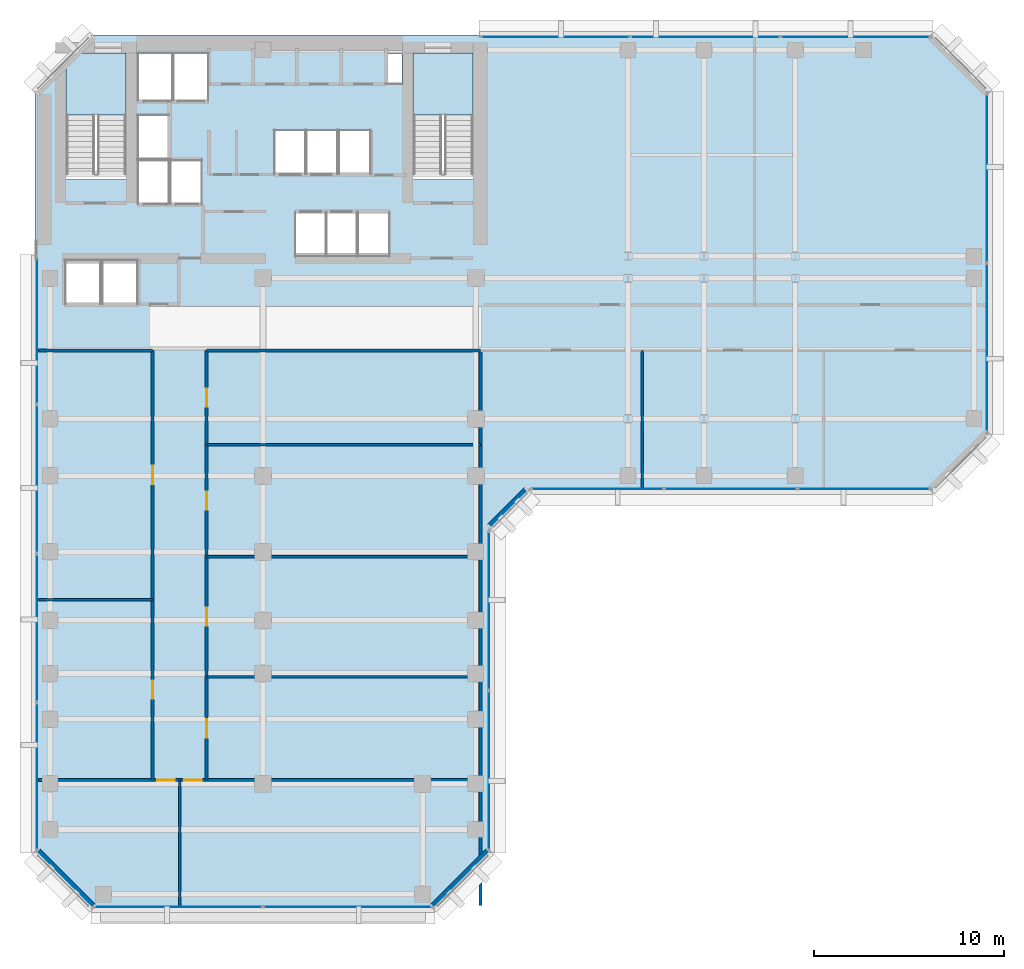
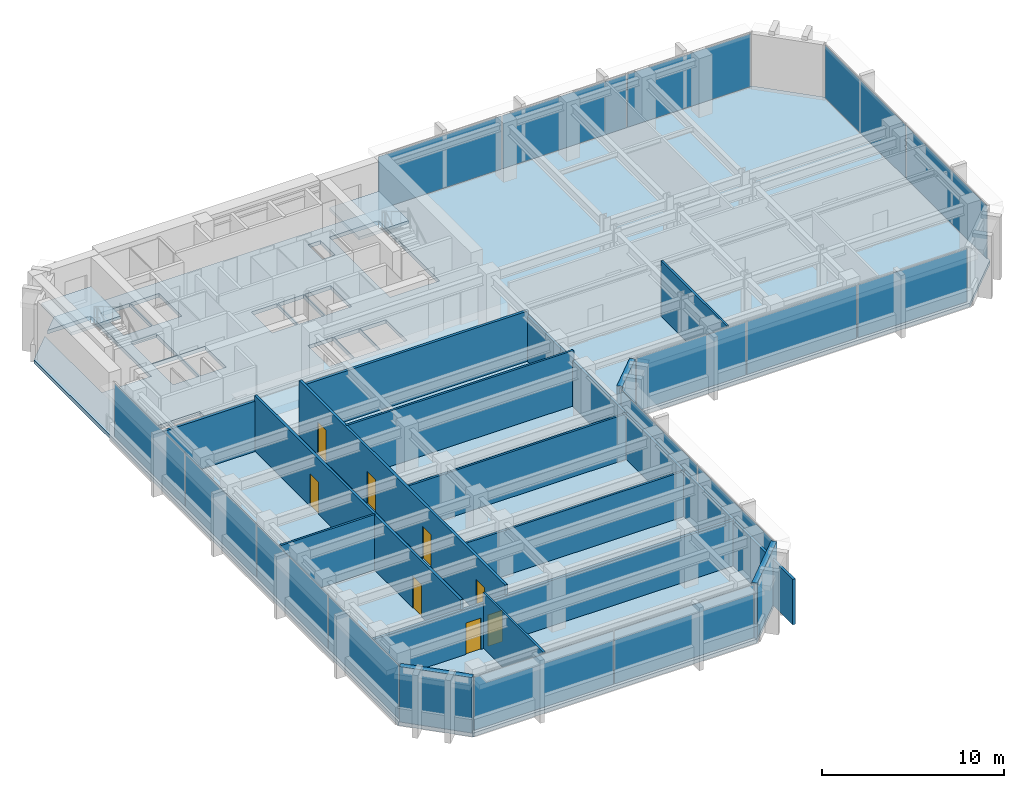
# One storey, part 6 of 11: 16 plates, 15 walls, 8 doors, 3 slabs, 8 openings, 8 elements without a shape of their own.
"""IFC4 building model written with IfcOpenShell, lengths in metres."""

import ifcopenshell
import ifcopenshell.guid

model = None  # the IFC model being written
_history = None  # IfcOwnerHistory: only IFC2X3 demands one
_inside = {}  # id of a spatial element -> (the spatial element, [elements in it])
_under = {}  # id of a project, library or spatial element -> (it, [spatial elements below it])
_declared = {}  # id of a project -> (the project, [libraries it declares])
_typed = {}  # id of a type object -> (the type object, [elements of that type])
_made_of = {}  # id of a material, layer set ... -> (it, [elements and type objects made of it])


def new_model(schema):
    """Start an empty IFC model of exactly this schema.

    Asked for "IFC4X3", IfcOpenShell would pick the latest addendum, in which some entities
    have other attributes; the version numbers below select the first issue.
    IFC2X3 requires an IfcOwnerHistory on every rooted entity: one is made here for all.
    """
    global model, _history
    if schema == "IFC4X3":
        model = ifcopenshell.file(schema_version=(4, 3, 0, 0))
    else:
        model = ifcopenshell.file(schema=schema)
    _inside.clear()
    _under.clear()
    _declared.clear()
    _typed.clear()
    _made_of.clear()
    _history = None
    if model.schema == "IFC2X3":
        org = make("IfcOrganization", Name="unknown")
        user = make(
            "IfcPersonAndOrganization",
            ThePerson=make("IfcPerson", FamilyName="unknown"),
            TheOrganization=org,
        )
        app = make(
            "IfcApplication",
            ApplicationDeveloper=org,
            Version="unknown",
            ApplicationFullName="unknown",
            ApplicationIdentifier="unknown",
        )
        _history = make(
            "IfcOwnerHistory",
            OwningUser=user,
            OwningApplication=app,
            ChangeAction="ADDED",
            CreationDate=0,
        )
    return model


def make(cls, **values):
    """One entity of the class cls with the attributes given. An attribute that is None is left unset."""
    return model.create_entity(
        cls, **{name: value for name, value in values.items() if value is not None}
    )


def rooted(cls, **values):
    """An entity with a GlobalId (a new one), such as an element, a storey or a relation."""
    return make(cls, GlobalId=ifcopenshell.guid.new(), OwnerHistory=_history, **values)


def si_unit(unit_type, name, prefix=None):
    """IfcSIUnit, for example si_unit("LENGTHUNIT", "METRE", prefix="MILLI")."""
    return make("IfcSIUnit", UnitType=unit_type, Prefix=prefix, Name=name)


def assignment(units):
    """IfcUnitAssignment: the units of a project."""
    return None if units is None else make("IfcUnitAssignment", Units=units)


def point(xyz):
    """IfcCartesianPoint."""
    return None if xyz is None else make("IfcCartesianPoint", Coordinates=xyz)


def direction(xyz):
    """IfcDirection."""
    return None if xyz is None else make("IfcDirection", DirectionRatios=xyz)


def frame(location, z_axis=None, x_axis=None):
    """IfcAxis2Placement3D, a coordinate frame: its origin and axes. An axis left out is left unset."""
    return make(
        "IfcAxis2Placement3D",
        Location=point(location),
        Axis=direction(z_axis),
        RefDirection=direction(x_axis),
    )


def frame_2d(location, x_axis=None):
    """IfcAxis2Placement2D, a coordinate frame in the plane: its origin and x axis."""
    return make(
        "IfcAxis2Placement2D", Location=point(location), RefDirection=direction(x_axis)
    )


def origin():
    """The frame at (0, 0, 0) with its axes left unset."""
    return frame((0.0, 0.0, 0.0))


def origin_2d():
    """The frame at (0, 0) in the plane with its x axis left unset."""
    return frame_2d((0.0, 0.0))


def place(relative_to, where):
    """IfcLocalPlacement: puts the frame where relative to a parent placement (None: the world)."""
    return make(
        "IfcLocalPlacement", PlacementRelTo=relative_to, RelativePlacement=where
    )


def context(
    kind, dimensions, precision=None, world=None, true_north=None, identifier=None
):
    """IfcGeometricRepresentationContext, for example the 3D "Model" context."""
    return make(
        "IfcGeometricRepresentationContext",
        ContextIdentifier=identifier,
        ContextType=kind,
        CoordinateSpaceDimension=dimensions,
        Precision=precision,
        WorldCoordinateSystem=world,
        TrueNorth=true_north,
    )


def subcontext(parent, identifier, kind, view, scale=None):
    """IfcGeometricRepresentationSubContext, for example "Body" below "Model"."""
    return make(
        "IfcGeometricRepresentationSubContext",
        ContextIdentifier=identifier,
        ContextType=kind,
        ParentContext=parent,
        TargetScale=scale,
        TargetView=view,
    )


def project(units=None, contexts=None):
    """IfcProject with its units and contexts."""
    return rooted(
        "IfcProject",
        Name="project",
        RepresentationContexts=contexts,
        UnitsInContext=assignment(units),
    )


def spatial(cls, under=None, at=None, **own):
    """A site, building, storey or space (cls), placed at a placement, below another one or the project."""
    s = rooted(cls, ObjectPlacement=at, **own)
    if under is not None:
        _under.setdefault(under.id(), (under, []))[1].append(s)
    return s


def polyline(points):
    """IfcPolyline through the points."""
    return make("IfcPolyline", Points=[point(p) for p in points])


def profile(cls, at=None, kind="AREA", **sizes):
    """A parametric profile (cls). Its sizes go by their IFC names, for example OverallWidth=200.0."""
    return make(cls, ProfileType=kind, Position=at, **sizes)


def rectangle(**sizes):
    """IfcRectangleProfileDef."""
    return profile("IfcRectangleProfileDef", **sizes)


def outline(outer, holes=None, kind="AREA"):
    """IfcArbitraryClosedProfileDef: a profile drawn as a closed curve; with holes, ...WithVoids."""
    if holes is None:
        return make("IfcArbitraryClosedProfileDef", ProfileType=kind, OuterCurve=outer)
    return make(
        "IfcArbitraryProfileDefWithVoids",
        ProfileType=kind,
        OuterCurve=outer,
        InnerCurves=holes,
    )


def extrude(swept, where, along, depth):
    """IfcExtrudedAreaSolid: the profile swept, set in the frame where, extruded along a direction by depth."""
    return make(
        "IfcExtrudedAreaSolid",
        SweptArea=swept,
        Position=where,
        ExtrudedDirection=direction(along),
        Depth=depth,
    )


def shape(context_of_items, identifier, shape_type, items):
    """IfcShapeRepresentation: the items that make up one representation, for example the "Body"."""
    return make(
        "IfcShapeRepresentation",
        ContextOfItems=context_of_items,
        RepresentationIdentifier=identifier,
        RepresentationType=shape_type,
        Items=items,
    )


def material(Name=None, Category=None):
    """IfcMaterial."""
    return make("IfcMaterial", Name=Name, Category=Category)


def layer(
    of_material, thickness, ventilated=None, Name=None, Category=None, Priority=None
):
    """IfcMaterialLayer: one layer of a wall or slab, of a material (None: an air gap)."""
    return make(
        "IfcMaterialLayer",
        Material=of_material,
        LayerThickness=thickness,
        IsVentilated=ventilated,
        Name=Name,
        Category=Category,
        Priority=Priority,
    )


def layer_set(layers, Name=None):
    """IfcMaterialLayerSet."""
    return make("IfcMaterialLayerSet", MaterialLayers=layers, LayerSetName=Name)


def made_of(thing, what):
    """Note that an element or type object is made of a material, layer set ...; save() writes the relation."""
    if what is not None:
        _made_of.setdefault(what.id(), (what, []))[1].append(thing)
    return thing


def type_object(cls, material=None, **own):
    """A type object (cls), such as IfcWallType, which elements share."""
    return made_of(rooted(cls, **own), material)


def element(
    cls,
    number,
    at=None,
    inside=None,
    cuts=None,
    type_object=None,
    material=None,
    context=None,
    identifier="Body",
    shape_type=None,
    held_by="IfcProductDefinitionShape",
    body=None,
    shapes=None,
    **own,
):
    """One element of the class cls, such as IfcWall. Its Tag is "e" and its number.

    at: its placement. inside: the storey or other place that contains it. cuts: it is an
    opening in that element (IfcRelVoidsElement). A single representation is given by context,
    identifier, shape_type and body (its items); several are given by shapes. held_by: the class
    of the entity that holds the representations. save() writes the other relations.
    """
    e = rooted(cls, Tag="e%d" % number, ObjectPlacement=at, **own)
    if body is not None:
        shapes = [shape(context, identifier, shape_type, body)]
    if shapes is not None:
        e.Representation = make(held_by, Representations=shapes)
    if inside is not None:
        _inside.setdefault(inside.id(), (inside, []))[1].append(e)
    if cuts is not None:
        rooted(
            "IfcRelVoidsElement", RelatingBuildingElement=cuts, RelatedOpeningElement=e
        )
    if type_object is not None:
        _typed.setdefault(type_object.id(), (type_object, []))[1].append(e)
    return made_of(e, material)


def fill(opening, filler):
    """IfcRelFillsElement: the door or window that sits in an opening."""
    return rooted(
        "IfcRelFillsElement",
        RelatingOpeningElement=opening,
        RelatedBuildingElement=filler,
    )


def aggregate(whole, parts):
    """IfcRelAggregates: a whole, such as a stair, and the parts it consists of."""
    return rooted("IfcRelAggregates", RelatingObject=whole, RelatedObjects=parts)


def save(model, path):
    """Write the relations noted so far, then the file.

    IfcRelAggregates (storeys below a building ...), IfcRelContainedInSpatialStructure (elements
    in a storey), IfcRelDefinesByType, IfcRelAssociatesMaterial and IfcRelDeclares: one each for
    every whole, place, type object, material and project.
    """
    for whole, parts in _under.values():
        aggregate(whole, parts)
    for where, things in _inside.values():
        rooted(
            "IfcRelContainedInSpatialStructure",
            RelatedElements=things,
            RelatingStructure=where,
        )
    for kind, things in _typed.values():
        rooted("IfcRelDefinesByType", RelatedObjects=things, RelatingType=kind)
    for what, things in _made_of.values():
        rooted("IfcRelAssociatesMaterial", RelatedObjects=things, RelatingMaterial=what)
    for by, libraries in _declared.values():
        rooted("IfcRelDeclares", RelatingContext=by, RelatedDefinitions=libraries)
    model.write(path)


model = new_model("IFC4")

# Units and contexts
model_context = context("Model", 3, precision=1e-05, world=origin(), true_north=direction((0.0, 1.0)))
body_context = subcontext(model_context, "Body", "Model", "MODEL_VIEW")
ifc_project = project(units=[si_unit("LENGTHUNIT", "METRE"), si_unit("AREAUNIT", "SQUARE_METRE"), si_unit("VOLUMEUNIT", "CUBIC_METRE"), si_unit("PLANEANGLEUNIT", "RADIAN"), si_unit("MASSUNIT", "GRAM", prefix="KILO")], contexts=[model_context])

# Site, building, storey
site_placement = place(None, origin())
site = spatial("IfcSite", under=ifc_project, at=site_placement, CompositionType="ELEMENT")
building_placement = place(site_placement, origin())
building = spatial("IfcBuilding", under=site, at=building_placement, Name="Kefirva Bronze Tower", CompositionType="ELEMENT")
storey_placement = place(building_placement, frame((0.0, 0.0, 150.81005859375)))
storey = spatial("IfcBuildingStorey", under=building, at=storey_placement, Name="L36", CompositionType="ELEMENT", Elevation=150.81005859375)

# Stair, slab
ifc_material_1 = material(Name="Concrete C40/50", Category="concrete")
stair_type = type_object("IfcStairType", Name="RC Dogleg Protected Stair 24R", PredefinedType="HALF_TURN_STAIR", material=ifc_material_1)
stair_1_placement = place(storey_placement, origin())
stair_1 = element("IfcStair", 1, at=stair_1_placement, inside=storey, type_object=stair_type, Name="L36 Protected Exit Stair 1", PredefinedType="HALF_TURN_STAIR")
ifc_layer_1 = layer(ifc_material_1, 0.199951171875, Name="Concrete C40/50")
ifc_layer_set_1 = layer_set([ifc_layer_1], Name="Concrete C40/50")
slab_type_1 = type_object("IfcSlabType", Name="RC Stair Landing Slab 200mm", PredefinedType="LANDING", material=ifc_layer_set_1)
slab_1_placement = place(storey_placement, frame((0.0, 0.0, 1.780029296875)))
slab_1 = element("IfcSlab", 2, at=slab_1_placement, type_object=slab_type_1, Name="ST-1 landing 1", PredefinedType="LANDING", context=body_context, shape_type="SweptSolid", body=[
    extrude(outline(polyline([(4.800048828125, 41.780029296875), (4.800048828125, 45.050048828125), (1.64990234375, 45.050048828125), (1.64990234375, 41.780029296875), (4.800048828125, 41.780029296875)])), origin(), (0.0, 0.0, 1.0), 0.199951171875),
])
aggregate(stair_1, [slab_1])

stair_2_placement = place(storey_placement, origin())
stair_2 = element("IfcStair", 3, at=stair_2_placement, inside=storey, type_object=stair_type, Name="L36 Protected Exit Stair 2", PredefinedType="HALF_TURN_STAIR")
slab_2_placement = place(storey_placement, frame((0.0, 0.0, 1.780029296875)))
slab_2 = element("IfcSlab", 4, at=slab_2_placement, type_object=slab_type_1, Name="ST-2 landing 1", PredefinedType="LANDING", context=body_context, shape_type="SweptSolid", body=[
    extrude(outline(polyline([(23.050048828125, 41.780029296875), (23.050048828125, 45.050048828125), (19.89990234375, 45.050048828125), (19.89990234375, 41.780029296875), (23.050048828125, 41.780029296875)])), origin(), (0.0, 0.0, 1.0), 0.199951171875),
])
aggregate(stair_2, [slab_2])

# Slab
ifc_layer_2 = layer(ifc_material_1, 0.25, Name="Concrete C40/50")
ifc_layer_set_2 = layer_set([ifc_layer_2], Name="Concrete C40/50")
slab_type_2 = type_object("IfcSlabType", Name="RC Tower Floor Slab 250mm", PredefinedType="FLOOR", material=ifc_layer_set_2)
slab_3_placement = place(storey_placement, frame((0.0, 0.0, -0.25)))
element("IfcSlab", 5, at=slab_3_placement, inside=storey, type_object=slab_type_2, Name="L36 Structural Floor Slab", PredefinedType="FLOOR", context=body_context, shape_type="SweptSolid", body=[
    extrude(outline(polyline([(0.0, 3.0), (0.0, 43.0), (1.64990234375, 44.64990234375), (1.64990234375, 38.39990234375), (4.800048828125, 38.39990234375), (4.800048828125, 45.050048828125), (2.050048828125, 45.050048828125), (3.0, 46.0), (47.199951171875, 46.0), (50.199951171875, 43.0), (50.199951171875, 25.0), (47.199951171875, 22.0), (26.0, 22.0), (24.0, 20.0), (24.0, 3.0), (21.0, 0.0), (3.0, 0.0), (0.0, 3.0)]), holes=[polyline([(23.050048828125, 38.39990234375), (23.050048828125, 45.050048828125), (19.89990234375, 45.050048828125), (19.89990234375, 38.39990234375), (23.050048828125, 38.39990234375)]), polyline([(19.320068359375, 43.419921875), (19.320068359375, 45.0), (18.52001953125, 45.0), (18.52001953125, 43.419921875), (19.320068359375, 43.419921875)]), polyline([(18.64990234375, 34.35009765625), (18.64990234375, 36.64990234375), (17.0, 36.64990234375), (17.0, 34.35009765625), (18.64990234375, 34.35009765625)]), polyline([(17.64990234375, 38.679931640625), (17.64990234375, 40.97998046875), (16.0, 40.97998046875), (16.0, 38.679931640625), (17.64990234375, 38.679931640625)]), polyline([(16.949951171875, 34.35009765625), (16.949951171875, 36.64990234375), (15.35009765625, 36.64990234375), (15.35009765625, 34.35009765625), (16.949951171875, 34.35009765625)]), polyline([(15.929931640625, 38.679931640625), (15.929931640625, 40.97998046875), (14.300048828125, 40.97998046875), (14.300048828125, 38.679931640625), (15.929931640625, 38.679931640625)]), polyline([(15.300048828125, 34.35009765625), (15.300048828125, 36.64990234375), (13.699951171875, 36.64990234375), (13.699951171875, 34.35009765625), (15.300048828125, 34.35009765625)]), polyline([(14.22998046875, 38.679931640625), (14.22998046875, 40.97998046875), (12.60009765625, 40.97998046875), (12.60009765625, 38.679931640625), (14.22998046875, 38.679931640625)]), polyline([(9.1201171875, 42.550048828125), (9.1201171875, 45.050048828125), (7.300048828125, 45.050048828125), (7.300048828125, 42.550048828125), (9.1201171875, 42.550048828125)]), polyline([(8.780029296875, 37.10009765625), (8.780029296875, 39.39990234375), (7.139892578125, 39.39990234375), (7.139892578125, 37.10009765625), (8.780029296875, 37.10009765625)]), polyline([(7.239990234375, 42.550048828125), (7.239990234375, 45.050048828125), (5.419921875, 45.050048828125), (5.419921875, 42.550048828125), (7.239990234375, 42.550048828125)]), polyline([(7.06005859375, 37.10009765625), (7.06005859375, 39.39990234375), (5.419921875, 39.39990234375), (5.419921875, 37.10009765625), (7.06005859375, 37.10009765625)]), polyline([(7.06005859375, 39.47998046875), (7.06005859375, 41.780029296875), (5.419921875, 41.780029296875), (5.419921875, 39.47998046875), (7.06005859375, 39.47998046875)]), polyline([(5.39990234375, 31.85009765625), (5.39990234375, 34.14990234375), (3.550048828125, 34.14990234375), (3.550048828125, 31.85009765625), (5.39990234375, 31.85009765625)]), polyline([(3.449951171875, 31.85009765625), (3.449951171875, 34.14990234375), (1.60009765625, 34.14990234375), (1.60009765625, 31.85009765625), (3.449951171875, 31.85009765625)])]), origin(), (0.0, 0.0, 1.0), 0.25),
])

# Curtain wall, plates
ifc_material_2 = material(Name="Bronze anodised aluminium", Category="aluminium")
ifc_layer_3 = layer(ifc_material_2, 0.199951171875, Name="Bronze anodised aluminium")
ifc_layer_set_3 = layer_set([ifc_layer_3], Name="Bronze anodised aluminium")
curtain_wall_type = type_object("IfcCurtainWallType", Name="Unitised Bronze Ribbon Curtain Wall Zone 2", PredefinedType="USERDEFINED", material=ifc_layer_set_3)
curtain_wall_1_placement = place(storey_placement, origin())
curtain_wall_1 = element("IfcCurtainWall", 6, at=curtain_wall_1_placement, inside=storey, type_object=curtain_wall_type, Name="L36 Curtain Wall 1", ObjectType="UNITISED CURTAIN WALL", PredefinedType="USERDEFINED")
ifc_material_3 = material(Name="Laminated low-E double glazing", Category="glass")
ifc_layer_4 = layer(ifc_material_3, 0.031982421875, Name="Laminated low-E double glazing")
ifc_layer_set_4 = layer_set([ifc_layer_4], Name="Laminated low-E double glazing")
plate_type = type_object("IfcPlateType", Name="Solar-Control Low-E Vision Panel 32mm", PredefinedType="CURTAIN_PANEL", material=ifc_layer_set_4)
plate_1_placement = place(storey_placement, frame((7.546142578125, 0.1201171875, 0.074951171875), z_axis=(0.0, 0.0, 1.0), x_axis=(1.0, 0.0, 0.0)))
plate_1 = element("IfcPlate", 7, at=plate_1_placement, type_object=plate_type, Name="CW-02 panel 1.1", PredefinedType="CURTAIN_PANEL", context=body_context, shape_type="SweptSolid", body=[
    extrude(rectangle(XDim=8.83251953125, YDim=0.031982421875, at=origin_2d()), origin(), (0.0, 0.0, 1.0), 3.56005859375),
])
plate_2_placement = place(storey_placement, frame((16.453857421875, 0.1201171875, 0.074951171875), z_axis=(0.0, 0.0, 1.0), x_axis=(1.0, 0.0, 0.0)))
plate_2 = element("IfcPlate", 8, at=plate_2_placement, type_object=plate_type, Name="CW-02 panel 2.1", PredefinedType="CURTAIN_PANEL", context=body_context, shape_type="SweptSolid", body=[
    extrude(rectangle(XDim=8.83251953125, YDim=0.031982421875, at=origin_2d()), origin(), (0.0, 0.0, 1.0), 3.56005859375),
])
aggregate(curtain_wall_1, [plate_1, plate_2])

curtain_wall_2_placement = place(storey_placement, origin())
curtain_wall_2 = element("IfcCurtainWall", 9, at=curtain_wall_2_placement, inside=storey, type_object=curtain_wall_type, Name="L36 Curtain Wall 2", ObjectType="UNITISED CURTAIN WALL", PredefinedType="USERDEFINED")
plate_3_placement = place(storey_placement, frame((23.8798828125, 7.296142578125, 0.074951171875), z_axis=(0.0, 0.0, 1.0), x_axis=(0.0, 1.0, 0.0)))
plate_3 = element("IfcPlate", 10, at=plate_3_placement, type_object=plate_type, Name="CW-02 panel 1.1", PredefinedType="CURTAIN_PANEL", context=body_context, shape_type="SweptSolid", body=[
    extrude(rectangle(XDim=8.33251953125, YDim=0.031982421875, at=origin_2d()), origin(), (0.0, 0.0, 1.0), 3.56005859375),
])
plate_4_placement = place(storey_placement, frame((23.8798828125, 15.703857421875, 0.074951171875), z_axis=(0.0, 0.0, 1.0), x_axis=(0.0, 1.0, 0.0)))
plate_4 = element("IfcPlate", 11, at=plate_4_placement, type_object=plate_type, Name="CW-02 panel 2.1", PredefinedType="CURTAIN_PANEL", context=body_context, shape_type="SweptSolid", body=[
    extrude(rectangle(XDim=8.33251953125, YDim=0.031982421875, at=origin_2d()), origin(), (0.0, 0.0, 1.0), 3.56005859375),
])
aggregate(curtain_wall_2, [plate_3, plate_4])

curtain_wall_3_placement = place(storey_placement, origin())
curtain_wall_3 = element("IfcCurtainWall", 12, at=curtain_wall_3_placement, inside=storey, type_object=curtain_wall_type, Name="L36 Curtain Wall 3", ObjectType="UNITISED CURTAIN WALL", PredefinedType="USERDEFINED")
plate_5_placement = place(storey_placement, frame((29.5888671875, 22.1201171875, 0.074951171875), z_axis=(0.0, 0.0, 1.0), x_axis=(1.0, 0.0, 0.0)))
plate_5 = element("IfcPlate", 13, at=plate_5_placement, type_object=plate_type, Name="CW-02 panel 1.1", PredefinedType="CURTAIN_PANEL", context=body_context, shape_type="SweptSolid", body=[
    extrude(rectangle(XDim=6.91748046875, YDim=0.031982421875, at=origin_2d()), origin(), (0.0, 0.0, 1.0), 3.56005859375),
])
plate_6_placement = place(storey_placement, frame((36.60009765625, 22.1201171875, 0.074951171875), z_axis=(0.0, 0.0, 1.0), x_axis=(1.0, 0.0, 0.0)))
plate_6 = element("IfcPlate", 14, at=plate_6_placement, type_object=plate_type, Name="CW-02 panel 2.1", PredefinedType="CURTAIN_PANEL", context=body_context, shape_type="SweptSolid", body=[
    extrude(rectangle(XDim=6.955078125, YDim=0.031982421875, at=origin_2d()), origin(), (0.0, 0.0, 1.0), 3.56005859375),
])
plate_7_placement = place(storey_placement, frame((43.611328125, 22.1201171875, 0.074951171875), z_axis=(0.0, 0.0, 1.0), x_axis=(1.0, 0.0, 0.0)))
plate_7 = element("IfcPlate", 15, at=plate_7_placement, type_object=plate_type, Name="CW-02 panel 3.1", PredefinedType="CURTAIN_PANEL", context=body_context, shape_type="SweptSolid", body=[
    extrude(rectangle(XDim=6.91748046875, YDim=0.031982421875, at=origin_2d()), origin(), (0.0, 0.0, 1.0), 3.56005859375),
])
aggregate(curtain_wall_3, [plate_5, plate_6, plate_7])

curtain_wall_4_placement = place(storey_placement, origin())
curtain_wall_4 = element("IfcCurtainWall", 16, at=curtain_wall_4_placement, inside=storey, type_object=curtain_wall_type, Name="L36 Curtain Wall 4", ObjectType="UNITISED CURTAIN WALL", PredefinedType="USERDEFINED")
plate_8_placement = place(storey_placement, frame((50.080078125, 29.546142578125, 0.074951171875), z_axis=(0.0, 0.0, 1.0), x_axis=(0.0, 1.0, 0.0)))
plate_8 = element("IfcPlate", 17, at=plate_8_placement, type_object=plate_type, Name="CW-02 panel 1.1", PredefinedType="CURTAIN_PANEL", context=body_context, shape_type="SweptSolid", body=[
    extrude(rectangle(XDim=8.83251953125, YDim=0.031982421875, at=origin_2d()), origin(), (0.0, 0.0, 1.0), 3.56005859375),
])
plate_9_placement = place(storey_placement, frame((50.080078125, 38.453857421875, 0.074951171875), z_axis=(0.0, 0.0, 1.0), x_axis=(0.0, 1.0, 0.0)))
plate_9 = element("IfcPlate", 18, at=plate_9_placement, type_object=plate_type, Name="CW-02 panel 2.1", PredefinedType="CURTAIN_PANEL", context=body_context, shape_type="SweptSolid", body=[
    extrude(rectangle(XDim=8.83251953125, YDim=0.031982421875, at=origin_2d()), origin(), (0.0, 0.0, 1.0), 3.56005859375),
])
aggregate(curtain_wall_4, [plate_8, plate_9])

curtain_wall_5_placement = place(storey_placement, origin())
curtain_wall_5 = element("IfcCurtainWall", 19, at=curtain_wall_5_placement, inside=storey, type_object=curtain_wall_type, Name="L36 Curtain Wall 5", ObjectType="UNITISED CURTAIN WALL", PredefinedType="USERDEFINED")
plate_10_placement = place(storey_placement, frame((43.169677734375, 45.8798828125, 0.074951171875), z_axis=(0.0, 0.0, 1.0), x_axis=(-1.0, 0.0, 0.0)))
plate_10 = element("IfcPlate", 20, at=plate_10_placement, type_object=plate_type, Name="CW-02 panel 1.1", PredefinedType="CURTAIN_PANEL", context=body_context, shape_type="SweptSolid", body=[
    extrude(rectangle(XDim=7.80078125, YDim=0.031982421875, at=origin_2d()), origin(), (0.0, 0.0, 1.0), 3.56005859375),
])
plate_11_placement = place(storey_placement, frame((35.27490234375, 45.8798828125, 0.074951171875), z_axis=(0.0, 0.0, 1.0), x_axis=(-1.0, 0.0, 0.0)))
plate_11 = element("IfcPlate", 21, at=plate_11_placement, type_object=plate_type, Name="CW-02 panel 2.1", PredefinedType="CURTAIN_PANEL", context=body_context, shape_type="SweptSolid", body=[
    extrude(rectangle(XDim=7.83837890625, YDim=0.031982421875, at=origin_2d()), origin(), (0.0, 0.0, 1.0), 3.56005859375),
])
plate_12_placement = place(storey_placement, frame((27.38037109375, 45.8798828125, 0.074951171875), z_axis=(0.0, 0.0, 1.0), x_axis=(-1.0, 0.0, 0.0)))
plate_12 = element("IfcPlate", 22, at=plate_12_placement, type_object=plate_type, Name="CW-02 panel 3.1", PredefinedType="CURTAIN_PANEL", context=body_context, shape_type="SweptSolid", body=[
    extrude(rectangle(XDim=7.80078125, YDim=0.031982421875, at=origin_2d()), origin(), (0.0, 0.0, 1.0), 3.56005859375),
])
aggregate(curtain_wall_5, [plate_10, plate_11, plate_12])

curtain_wall_6_placement = place(storey_placement, origin())
curtain_wall_6 = element("IfcCurtainWall", 23, at=curtain_wall_6_placement, inside=storey, type_object=curtain_wall_type, Name="L36 Curtain Wall 6", ObjectType="UNITISED CURTAIN WALL", PredefinedType="USERDEFINED")
plate_13_placement = place(storey_placement, frame((0.1201171875, 30.458740234375, 0.074951171875), z_axis=(0.0, 0.0, 1.0), x_axis=(0.0, -1.0, 0.0)))
plate_13 = element("IfcPlate", 24, at=plate_13_placement, type_object=plate_type, Name="CW-02 panel 1.1", PredefinedType="CURTAIN_PANEL", context=body_context, shape_type="SweptSolid", body=[
    extrude(rectangle(XDim=7.722412109375, YDim=0.031982421875, at=origin_2d()), origin(), (0.0, 0.0, 1.0), 3.56005859375),
])
plate_14_placement = place(storey_placement, frame((0.1201171875, 22.642578125, 0.074951171875), z_axis=(0.0, 0.0, 1.0), x_axis=(0.0, -1.0, 0.0)))
plate_14 = element("IfcPlate", 25, at=plate_14_placement, type_object=plate_type, Name="CW-02 panel 2.1", PredefinedType="CURTAIN_PANEL", context=body_context, shape_type="SweptSolid", body=[
    extrude(rectangle(XDim=7.760009765625, YDim=0.031982421875, at=origin_2d()), origin(), (0.0, 0.0, 1.0), 3.56005859375),
])
plate_15_placement = place(storey_placement, frame((0.1201171875, 14.8076171875, 0.074951171875), z_axis=(0.0, 0.0, 1.0), x_axis=(0.0, -1.0, 0.0)))
plate_15 = element("IfcPlate", 26, at=plate_15_placement, type_object=plate_type, Name="CW-02 panel 3.1", PredefinedType="CURTAIN_PANEL", context=body_context, shape_type="SweptSolid", body=[
    extrude(rectangle(XDim=7.760009765625, YDim=0.031982421875, at=origin_2d()), origin(), (0.0, 0.0, 1.0), 3.56005859375),
])
plate_16_placement = place(storey_placement, frame((0.1201171875, 6.9912109375, 0.074951171875), z_axis=(0.0, 0.0, 1.0), x_axis=(0.0, -1.0, 0.0)))
plate_16 = element("IfcPlate", 27, at=plate_16_placement, type_object=plate_type, Name="CW-02 panel 4.1", PredefinedType="CURTAIN_PANEL", context=body_context, shape_type="SweptSolid", body=[
    extrude(rectangle(XDim=7.722412109375, YDim=0.031982421875, at=origin_2d()), origin(), (0.0, 0.0, 1.0), 3.56005859375),
])
aggregate(curtain_wall_6, [plate_13, plate_14, plate_15, plate_16])

# Walls
ifc_material_4 = material(Name="Gypsum acoustic partition")
ifc_layer_5 = layer(ifc_material_4, 0.1298828125, Name="Gypsum acoustic partition")
ifc_layer_set_5 = layer_set([ifc_layer_5], Name="Gypsum acoustic partition")
wall_type_1 = type_object("IfcWallType", Name="Acoustic Office Partition 130mm", PredefinedType="PARTITIONING", material=ifc_layer_set_5)
wall_1_placement = place(storey_placement, frame((7.6201171875, 0.18994140625, 0.0), z_axis=(0.0, 0.0, 1.0), x_axis=(0.0, 1.0, 0.0)))
element("IfcWall", 28, at=wall_1_placement, inside=storey, type_object=wall_type_1, Name="L36 Partition W-L36-CAPDV", PredefinedType="PARTITIONING", context=body_context, shape_type="SweptSolid", body=[
    extrude(rectangle(XDim=6.610107421875, YDim=0.1298828125, at=frame_2d((3.30517578125, 0.0))), origin(), (0.0, 0.0, 1.0), 3.7099609375),
])
wall_2_placement = place(storey_placement, frame((0.18994140625, 16.2919921875, 0.0), z_axis=(0.0, 0.0, 1.0), x_axis=(1.0, 0.0, 0.0)))
element("IfcWall", 29, at=wall_2_placement, inside=storey, type_object=wall_type_1, Name="L36 Partition W-L36-SWD1", PredefinedType="PARTITIONING", context=body_context, shape_type="SweptSolid", body=[
    extrude(rectangle(XDim=6.010009765625, YDim=0.1298828125, at=frame_2d((3.0048828125, 0.0))), origin(), (0.0, 0.0, 1.0), 3.7099609375),
])
for number, where, z_axis, x_axis, name in (
    (30, (9.0400390625, 12.22412109375, 0.0), (0.0, 0.0, 1.0), (1.0, 0.0, 0.0), "L36 Partition W-L36-SED1"),
    (31, (9.0400390625, 18.552001953125, 0.0), (0.0, 0.0, 1.0), (1.0, 0.0, 0.0), "L36 Partition W-L36-SED2"),
):
    element("IfcWall", number, at=place(storey_placement, frame(where, z_axis=z_axis, x_axis=x_axis)), inside=storey, type_object=wall_type_1, Name=name, PredefinedType="PARTITIONING", context=body_context, shape_type="SweptSolid", body=[
        extrude(rectangle(XDim=14.409912109375, YDim=0.1298828125, at=frame_2d((7.205078125, 0.0))), origin(), (0.0, 0.0, 1.0), 3.044921875),
    ])
wall_3_placement = place(storey_placement, frame((9.0400390625, 24.427978515625, 0.0), z_axis=(0.0, 0.0, 1.0), x_axis=(1.0, 0.0, 0.0)))
element("IfcWall", 32, at=wall_3_placement, inside=storey, type_object=wall_type_1, Name="L36 Partition W-L36-SED3", PredefinedType="PARTITIONING", context=body_context, shape_type="SweptSolid", body=[
    extrude(rectangle(XDim=14.409912109375, YDim=0.1298828125, at=frame_2d((7.205078125, 0.0))), origin(), (0.0, 0.0, 1.0), 3.7099609375),
])
wall_4_placement = place(storey_placement, frame((31.94921875, 22.18994140625, 0.0), z_axis=(0.0, 0.0, 1.0), x_axis=(0.0, 1.0, 0.0)))
element("IfcWall", 33, at=wall_4_placement, inside=storey, type_object=wall_type_1, Name="L36 Partition W-L36-ESD1", PredefinedType="PARTITIONING", context=body_context, shape_type="SweptSolid", body=[
    extrude(rectangle(XDim=7.2099609375, YDim=0.1298828125, at=frame_2d((3.60498046875, 0.0))), origin(), (0.0, 0.0, 1.0), 3.7099609375),
])
ifc_material_5 = material(Name="Precast concrete C40/50", Category="concrete")
ifc_layer_6 = layer(ifc_material_5, 0.320068359375, Name="Precast concrete C40/50")
ifc_layer_set_6 = layer_set([ifc_layer_6], Name="Precast concrete C40/50")
wall_type_2 = type_object("IfcWallType", Name="Precast Insulated Exterior Wall 320mm", PredefinedType="SOLIDWALL", material=ifc_layer_set_6)
wall_5_placement = place(storey_placement, frame((20.92578125, 0.152099609375, 0.0), z_axis=(0.0, 0.0, 1.0), x_axis=(0.707106781187, 0.707106781187, 0.0)))
element("IfcWall", 34, at=wall_5_placement, inside=storey, type_object=wall_type_2, Name="L36 Exterior Facade Wall 1", PredefinedType="SOLIDWALL", context=body_context, shape_type="SweptSolid", body=[
    extrude(rectangle(XDim=4.132568359375, YDim=0.320068359375, at=frame_2d((2.06640625, 0.0))), origin(), (0.0, 0.0, 1.0), 3.7099609375),
])
wall_6_placement = place(storey_placement, frame((23.92578125, 20.152099609375, 0.0), z_axis=(0.0, 0.0, 1.0), x_axis=(0.707106781187, 0.707106781187, 0.0)))
element("IfcWall", 35, at=wall_6_placement, inside=storey, type_object=wall_type_2, Name="L36 Exterior Facade Wall 2", PredefinedType="SOLIDWALL", context=body_context, shape_type="SweptSolid", body=[
    extrude(rectangle(XDim=2.71826171875, YDim=0.320068359375, at=frame_2d((1.359130859375, 0.0))), origin(), (0.0, 0.0, 1.0), 3.7099609375),
])
wall_7_placement = place(storey_placement, frame((0.152099609375, 3.07421875, 0.0), z_axis=(0.0, 0.0, 1.0), x_axis=(0.707106781187, -0.707106781187, 0.0)))
element("IfcWall", 36, at=wall_7_placement, inside=storey, type_object=wall_type_2, Name="L36 Exterior Facade Wall 6", PredefinedType="SOLIDWALL", context=body_context, shape_type="SweptSolid", body=[
    extrude(rectangle(XDim=4.132568359375, YDim=0.320068359375, at=frame_2d((2.06640625, 0.0))), origin(), (0.0, 0.0, 1.0), 3.7099609375),
])

# Wall, openings, doors
ifc_layer_7 = layer(ifc_material_4, 0.159912109375, Name="Gypsum acoustic partition")
ifc_layer_set_7 = layer_set([ifc_layer_7], Name="Gypsum acoustic partition")
wall_type_3 = type_object("IfcWallType", Name="Protected Corridor Partition 160mm", PredefinedType="PARTITIONING", material=ifc_layer_set_7)
wall_8_placement = place(storey_placement, frame((6.199951171875, 6.800048828125, 0.0), z_axis=(0.0, 0.0, 1.0), x_axis=(0.0, 1.0, 0.0)))
wall_8 = element("IfcWall", 37, at=wall_8_placement, inside=storey, type_object=wall_type_3, Name="L36 Partition W-L36-SWCORW", PredefinedType="PARTITIONING", context=body_context, shape_type="SweptSolid", body=[
    extrude(rectangle(XDim=22.599853515625, YDim=0.159912109375, at=frame_2d((11.2998046875, 0.0))), origin(), (0.0, 0.0, 1.0), 3.7099609375),
])
opening_1_placement = place(wall_8_placement, frame((5.220947265625, 0.0, 0.0), z_axis=(0.0, 0.0, 1.0), x_axis=(-1.0, 0.0, 0.0)))
opening_1 = element("IfcOpeningElement", 38, at=opening_1_placement, cuts=wall_8, Name="Opening L36-D-SW1", PredefinedType="OPENING", context=body_context, shape_type="SweptSolid", body=[
    extrude(rectangle(XDim=0.949951171875, YDim=2.14990234375, at=frame_2d((0.47509765625, 1.074951171875))), frame((0.0, 0.08984375, 0.0), z_axis=(0.0, -1.0, 0.0), x_axis=(1.0, 0.0, 0.0)), (0.0, 0.0, 1.0), 0.179931640625),
])
opening_2_placement = place(wall_8_placement, frame((16.52099609375, 0.0, 0.0), z_axis=(0.0, 0.0, 1.0), x_axis=(-1.0, 0.0, 0.0)))
opening_2 = element("IfcOpeningElement", 39, at=opening_2_placement, cuts=wall_8, Name="Opening L36-D-SW2", PredefinedType="OPENING", context=body_context, shape_type="SweptSolid", body=[
    extrude(rectangle(XDim=0.949951171875, YDim=2.14990234375, at=frame_2d((0.47509765625, 1.074951171875))), frame((0.0, 0.08984375, 0.0), z_axis=(0.0, -1.0, 0.0), x_axis=(1.0, 0.0, 0.0)), (0.0, 0.0, 1.0), 0.179931640625),
])
ifc_material_6 = material(Name="Acoustic hardwood oak", Category="wood")
door_type_1 = type_object("IfcDoorType", Name="Office & Meeting Room Door 950x2150", OperationType="NOTDEFINED", PredefinedType="DOOR", material=ifc_material_6)
door_1_placement = place(opening_1_placement, origin())
door_1 = element("IfcDoor", 40, at=door_1_placement, inside=storey, type_object=door_type_1, Name="Door L36-D-SW1", OperationType="SINGLE_SWING_LEFT", OverallHeight=2.14990234375, OverallWidth=0.949951171875, PredefinedType="DOOR", context=body_context, shape_type="SweptSolid", body=[
    extrude(rectangle(XDim=0.949951171875, YDim=2.14990234375, at=frame_2d((0.47509765625, 1.074951171875))), frame((0.0, 0.02490234375, 0.0), z_axis=(0.0, -1.0, 0.0), x_axis=(1.0, 0.0, 0.0)), (0.0, 0.0, 1.0), 0.050048828125),
])
fill(opening_1, door_1)
door_2_placement = place(opening_2_placement, origin())
door_2 = element("IfcDoor", 41, at=door_2_placement, inside=storey, type_object=door_type_1, Name="Door L36-D-SW2", OperationType="SINGLE_SWING_RIGHT", OverallHeight=2.14990234375, OverallWidth=0.949951171875, PredefinedType="DOOR", context=body_context, shape_type="SweptSolid", body=[
    extrude(rectangle(XDim=0.949951171875, YDim=2.14990234375, at=frame_2d((0.47509765625, 1.074951171875))), frame((0.0, 0.02490234375, 0.0), z_axis=(0.0, -1.0, 0.0), x_axis=(1.0, 0.0, 0.0)), (0.0, 0.0, 1.0), 0.050048828125),
])
fill(opening_2, door_2)

wall_9_placement = place(storey_placement, frame((9.0400390625, 6.800048828125, 0.0), z_axis=(0.0, 0.0, 1.0), x_axis=(0.0, 1.0, 0.0)))
wall_9 = element("IfcWall", 42, at=wall_9_placement, inside=storey, type_object=wall_type_3, Name="L36 Partition W-L36-SECORE", PredefinedType="PARTITIONING", context=body_context, shape_type="SweptSolid", body=[
    extrude(rectangle(XDim=22.599853515625, YDim=0.159912109375, at=frame_2d((11.2998046875, 0.0))), origin(), (0.0, 0.0, 1.0), 3.7099609375),
])
opening_3_placement = place(wall_9_placement, frame((2.237060546875, 0.0, 0.0)))
opening_3 = element("IfcOpeningElement", 43, at=opening_3_placement, cuts=wall_9, Name="Opening L36-D-SE1", PredefinedType="OPENING", context=body_context, shape_type="SweptSolid", body=[
    extrude(rectangle(XDim=0.949951171875, YDim=2.14990234375, at=frame_2d((0.47509765625, 1.074951171875))), frame((0.0, 0.08984375, 0.0), z_axis=(0.0, -1.0, 0.0), x_axis=(1.0, 0.0, 0.0)), (0.0, 0.0, 1.0), 0.179931640625),
])
opening_4_placement = place(wall_9_placement, frame((8.113037109375, 0.0, 0.0)))
opening_4 = element("IfcOpeningElement", 44, at=opening_4_placement, cuts=wall_9, Name="Opening L36-D-SE2", PredefinedType="OPENING", context=body_context, shape_type="SweptSolid", body=[
    extrude(rectangle(XDim=0.949951171875, YDim=2.14990234375, at=frame_2d((0.47509765625, 1.074951171875))), frame((0.0, 0.08984375, 0.0), z_axis=(0.0, -1.0, 0.0), x_axis=(1.0, 0.0, 0.0)), (0.0, 0.0, 1.0), 0.179931640625),
])
opening_5_placement = place(wall_9_placement, frame((14.215087890625, 0.0, 0.0)))
opening_5 = element("IfcOpeningElement", 45, at=opening_5_placement, cuts=wall_9, Name="Opening L36-D-SE3", PredefinedType="OPENING", context=body_context, shape_type="SweptSolid", body=[
    extrude(rectangle(XDim=0.949951171875, YDim=2.14990234375, at=frame_2d((0.47509765625, 1.074951171875))), frame((0.0, 0.08984375, 0.0), z_axis=(0.0, -1.0, 0.0), x_axis=(1.0, 0.0, 0.0)), (0.0, 0.0, 1.0), 0.179931640625),
])
opening_6_placement = place(wall_9_placement, frame((19.638916015625, 0.0, 0.0)))
opening_6 = element("IfcOpeningElement", 46, at=opening_6_placement, cuts=wall_9, Name="Opening L36-D-SE4", PredefinedType="OPENING", context=body_context, shape_type="SweptSolid", body=[
    extrude(rectangle(XDim=0.949951171875, YDim=2.14990234375, at=frame_2d((0.47509765625, 1.074951171875))), frame((0.0, 0.08984375, 0.0), z_axis=(0.0, -1.0, 0.0), x_axis=(1.0, 0.0, 0.0)), (0.0, 0.0, 1.0), 0.179931640625),
])
door_3_placement = place(opening_3_placement, origin())
door_3 = element("IfcDoor", 47, at=door_3_placement, inside=storey, type_object=door_type_1, Name="Door L36-D-SE1", OperationType="SINGLE_SWING_LEFT", OverallHeight=2.14990234375, OverallWidth=0.949951171875, PredefinedType="DOOR", context=body_context, shape_type="SweptSolid", body=[
    extrude(rectangle(XDim=0.949951171875, YDim=2.14990234375, at=frame_2d((0.47509765625, 1.074951171875))), frame((0.0, 0.02490234375, 0.0), z_axis=(0.0, -1.0, 0.0), x_axis=(1.0, 0.0, 0.0)), (0.0, 0.0, 1.0), 0.050048828125),
])
fill(opening_3, door_3)
door_4_placement = place(opening_4_placement, origin())
door_4 = element("IfcDoor", 48, at=door_4_placement, inside=storey, type_object=door_type_1, Name="Door L36-D-SE2", OperationType="SINGLE_SWING_RIGHT", OverallHeight=2.14990234375, OverallWidth=0.949951171875, PredefinedType="DOOR", context=body_context, shape_type="SweptSolid", body=[
    extrude(rectangle(XDim=0.949951171875, YDim=2.14990234375, at=frame_2d((0.47509765625, 1.074951171875))), frame((0.0, 0.02490234375, 0.0), z_axis=(0.0, -1.0, 0.0), x_axis=(1.0, 0.0, 0.0)), (0.0, 0.0, 1.0), 0.050048828125),
])
fill(opening_4, door_4)
door_5_placement = place(opening_5_placement, origin())
door_5 = element("IfcDoor", 49, at=door_5_placement, inside=storey, type_object=door_type_1, Name="Door L36-D-SE3", OperationType="SINGLE_SWING_LEFT", OverallHeight=2.14990234375, OverallWidth=0.949951171875, PredefinedType="DOOR", context=body_context, shape_type="SweptSolid", body=[
    extrude(rectangle(XDim=0.949951171875, YDim=2.14990234375, at=frame_2d((0.47509765625, 1.074951171875))), frame((0.0, 0.02490234375, 0.0), z_axis=(0.0, -1.0, 0.0), x_axis=(1.0, 0.0, 0.0)), (0.0, 0.0, 1.0), 0.050048828125),
])
fill(opening_5, door_5)
door_6_placement = place(opening_6_placement, origin())
door_6 = element("IfcDoor", 50, at=door_6_placement, inside=storey, type_object=door_type_1, Name="Door L36-D-SE4", OperationType="SINGLE_SWING_RIGHT", OverallHeight=2.14990234375, OverallWidth=0.949951171875, PredefinedType="DOOR", context=body_context, shape_type="SweptSolid", body=[
    extrude(rectangle(XDim=0.949951171875, YDim=2.14990234375, at=frame_2d((0.47509765625, 1.074951171875))), frame((0.0, 0.02490234375, 0.0), z_axis=(0.0, -1.0, 0.0), x_axis=(1.0, 0.0, 0.0)), (0.0, 0.0, 1.0), 0.050048828125),
])
fill(opening_6, door_6)

wall_10_placement = place(storey_placement, frame((0.18994140625, 6.800048828125, 0.0), z_axis=(0.0, 0.0, 1.0), x_axis=(1.0, 0.0, 0.0)))
wall_10 = element("IfcWall", 51, at=wall_10_placement, inside=storey, type_object=wall_type_3, Name="L36 Partition W-L36-SBEND", PredefinedType="PARTITIONING", context=body_context, shape_type="SweptSolid", body=[
    extrude(rectangle(XDim=23.260009765625, YDim=0.159912109375, at=frame_2d((11.6298828125, 0.0))), origin(), (0.0, 0.0, 1.0), 3.044921875),
])
opening_7_placement = place(wall_10_placement, frame((6.260009765625, 0.0, 0.0)))
opening_7 = element("IfcOpeningElement", 52, at=opening_7_placement, cuts=wall_10, Name="Opening L36-D-SEND1", PredefinedType="OPENING", context=body_context, shape_type="SweptSolid", body=[
    extrude(rectangle(XDim=0.919921875, YDim=2.10009765625, at=frame_2d((0.4599609375, 1.050048828125))), frame((0.0, 0.08984375, 0.0), z_axis=(0.0, -1.0, 0.0), x_axis=(1.0, 0.0, 0.0)), (0.0, 0.0, 1.0), 0.179931640625),
])
opening_8_placement = place(wall_10_placement, frame((7.679931640625, 0.0, 0.0)))
opening_8 = element("IfcOpeningElement", 53, at=opening_8_placement, cuts=wall_10, Name="Opening L36-D-SEND2", PredefinedType="OPENING", context=body_context, shape_type="SweptSolid", body=[
    extrude(rectangle(XDim=0.919921875, YDim=2.10009765625, at=frame_2d((0.4599609375, 1.050048828125))), frame((0.0, 0.08984375, 0.0), z_axis=(0.0, -1.0, 0.0), x_axis=(1.0, 0.0, 0.0)), (0.0, 0.0, 1.0), 0.179931640625),
])
ifc_material_7 = material(Name="Moisture-resistant timber", Category="wood")
door_type_2 = type_object("IfcDoorType", Name="Accessible Sanitary & WC Door 920x2100", OperationType="NOTDEFINED", PredefinedType="DOOR", material=ifc_material_7)
door_7_placement = place(opening_7_placement, origin())
door_7 = element("IfcDoor", 54, at=door_7_placement, inside=storey, type_object=door_type_2, Name="Door L36-D-SEND1", OperationType="SINGLE_SWING_LEFT", OverallHeight=2.10009765625, OverallWidth=0.919921875, PredefinedType="DOOR", context=body_context, shape_type="SweptSolid", body=[
    extrude(rectangle(XDim=0.919921875, YDim=2.10009765625, at=frame_2d((0.4599609375, 1.050048828125))), frame((0.0, 0.02490234375, 0.0), z_axis=(0.0, -1.0, 0.0), x_axis=(1.0, 0.0, 0.0)), (0.0, 0.0, 1.0), 0.050048828125),
])
fill(opening_7, door_7)
door_8_placement = place(opening_8_placement, origin())
door_8 = element("IfcDoor", 55, at=door_8_placement, inside=storey, type_object=door_type_2, Name="Door L36-D-SEND2", OperationType="SINGLE_SWING_RIGHT", OverallHeight=2.10009765625, OverallWidth=0.919921875, PredefinedType="DOOR", context=body_context, shape_type="SweptSolid", body=[
    extrude(rectangle(XDim=0.919921875, YDim=2.10009765625, at=frame_2d((0.4599609375, 1.050048828125))), frame((0.0, 0.02490234375, 0.0), z_axis=(0.0, -1.0, 0.0), x_axis=(1.0, 0.0, 0.0)), (0.0, 0.0, 1.0), 0.050048828125),
])
fill(opening_8, door_8)

# Walls
wall_11_placement = place(storey_placement, frame((0.18994140625, 29.39990234375, 0.0), z_axis=(0.0, 0.0, 1.0), x_axis=(1.0, 0.0, 0.0)))
element("IfcWall", 56, at=wall_11_placement, inside=storey, type_object=wall_type_3, Name="L36 Partition W-L36-NWT", PredefinedType="PARTITIONING", context=body_context, shape_type="SweptSolid", body=[
    extrude(rectangle(XDim=6.010009765625, YDim=0.159912109375, at=frame_2d((3.0048828125, 0.0))), origin(), (0.0, 0.0, 1.0), 3.364990234375),
])
wall_12_placement = place(storey_placement, frame((9.0400390625, 29.39990234375, 0.0), z_axis=(0.0, 0.0, 1.0), x_axis=(1.0, 0.0, 0.0)))
element("IfcWall", 57, at=wall_12_placement, inside=storey, type_object=wall_type_3, Name="L36 Partition W-L36-NET", PredefinedType="PARTITIONING", context=body_context, shape_type="SweptSolid", body=[
    extrude(rectangle(XDim=14.409912109375, YDim=0.159912109375, at=frame_2d((7.205078125, 0.0))), origin(), (0.0, 0.0, 1.0), 3.364990234375),
])
wall_13_placement = place(storey_placement, frame((23.449951171875, 0.18994140625, 0.0), z_axis=(0.0, 0.0, 1.0), x_axis=(0.0, 1.0, 0.0)))
element("IfcWall", 58, at=wall_13_placement, inside=storey, type_object=wall_type_3, Name="L36 Partition W-L36-SWEAST", PredefinedType="PARTITIONING", context=body_context, shape_type="SweptSolid", body=[
    extrude(rectangle(XDim=29.2099609375, YDim=0.159912109375, at=frame_2d((14.60498046875, 0.0))), origin(), (0.0, 0.0, 1.0), 3.044921875),
])

save(model, "model.ifc")
